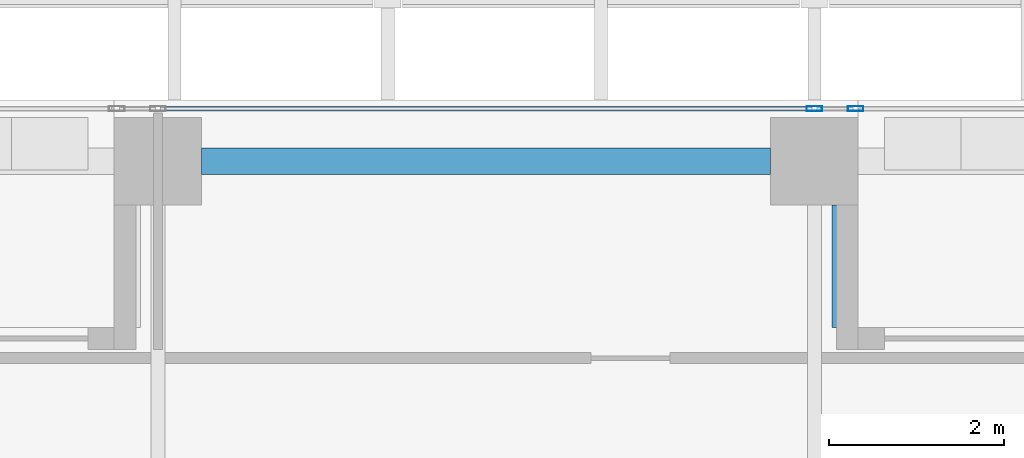
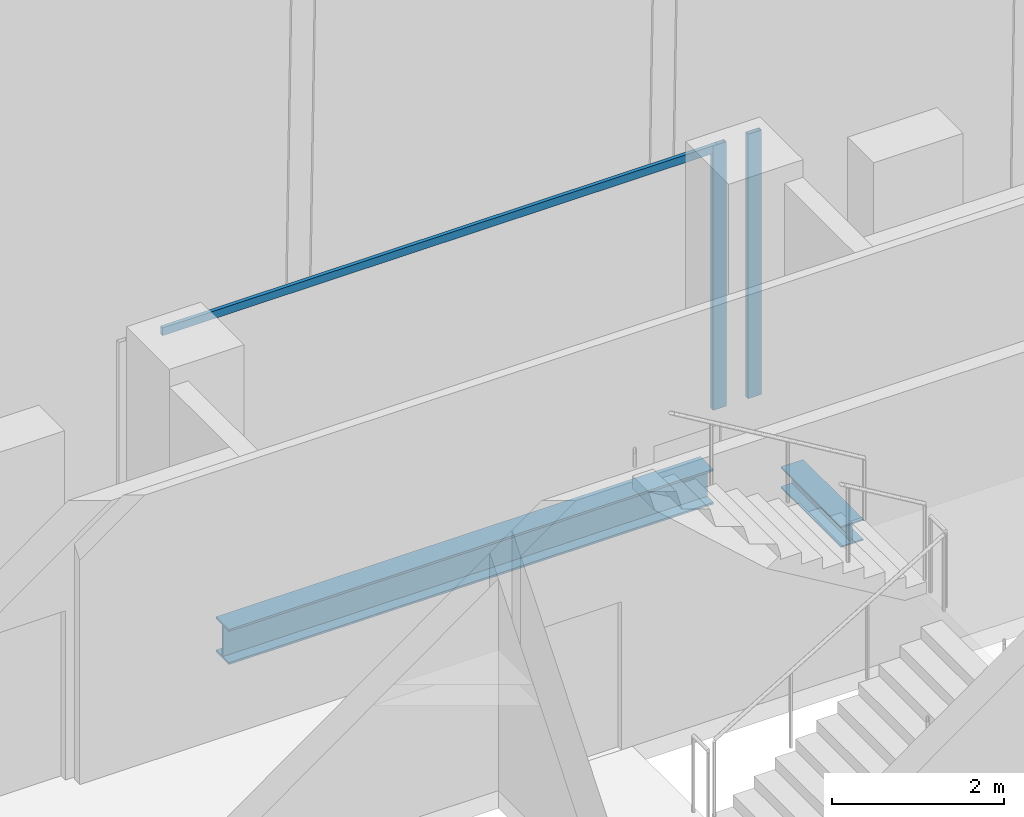
# One storey, part 17 of 35: 3 members, 2 beams, 1 element without a shape of its own.
"""IFC4 building model written with IfcOpenShell, lengths in metres."""

from ifc_helpers import new_model, si_unit, direction, frame, origin, origin_2d, place, context, subcontext, project, spatial, hollow_rectangle, i_section, extrude, source, transform, mapped, material, material_profile, profile_set, type_object, element, aggregate, save


model = new_model("IFC4")

# Units and contexts
model_context = context("Model", 3, precision=1e-05, world=origin(), true_north=direction((0.0, 1.0)))
body_context = subcontext(model_context, "Body", "Model", "MODEL_VIEW")
ifc_project = project(units=[si_unit("LENGTHUNIT", "METRE"), si_unit("AREAUNIT", "SQUARE_METRE"), si_unit("VOLUMEUNIT", "CUBIC_METRE"), si_unit("PLANEANGLEUNIT", "RADIAN"), si_unit("MASSUNIT", "GRAM", prefix="KILO")], contexts=[model_context])

# Site, building, storey
site_placement = place(None, origin())
site = spatial("IfcSite", under=ifc_project, at=site_placement, CompositionType="ELEMENT")
building_placement = place(site_placement, origin())
building = spatial("IfcBuilding", under=site, at=building_placement, Name="Khomas Fold Tower", CompositionType="ELEMENT")
storey_placement = place(building_placement, frame((0.0, 0.0, 212.699951171875)))
storey = spatial("IfcBuildingStorey", under=building, at=storey_placement, Name="L47", CompositionType="ELEMENT", Elevation=212.699951171875)

# Beams
ifc_material_1 = material(Name="Steel S355", Category="steel")
ifc_material_profile_1 = material_profile(ifc_material_1, i_section(OverallWidth=0.300048828125, OverallDepth=0.5, WebThickness=0.014404296875, FlangeThickness=0.028076171875, at=origin_2d()), Name="HE 500 B")
ifc_profile_set_1 = profile_set([ifc_material_profile_1], Name="Steel S355")
beam_type_1 = type_object("IfcBeamType", Name="HE 500 B spandrel SB3", PredefinedType="SPANDREL", material=ifc_profile_set_1)
shared_shape_1 = source(origin(), body_context, "Body", "SweptSolid", [
    extrude(i_section(OverallWidth=0.300048828125, OverallDepth=0.5, WebThickness=0.014404296875, FlangeThickness=0.028076171875, at=origin_2d()), origin(), (0.0, 0.0, 1.0), 6.5),
])
beam_1_placement = place(storey_placement, frame((20.0, 50.300048828125, -0.5), z_axis=(1.0, 0.0, 0.0), x_axis=(0.0, 1.0, 0.0)))
element("IfcBeam", 1, at=beam_1_placement, inside=storey, type_object=beam_type_1, Name="SB3", PredefinedType="SPANDREL", context=body_context, shape_type="MappedRepresentation", body=[
    mapped(shared_shape_1, transform((0.0, 0.0, 0.0))),
])
ifc_material_2 = material(Name="Steel S355", Category="steel")
ifc_material_profile_2 = material_profile(ifc_material_2, i_section(OverallWidth=0.300048828125, OverallDepth=0.300048828125, WebThickness=0.010986328125, FlangeThickness=0.01904296875, at=origin_2d()), Name="HE 300 B")
ifc_profile_set_2 = profile_set([ifc_material_profile_2], Name="Steel S355")
beam_type_2 = type_object("IfcBeamType", Name="HE 300 B beam BB1", PredefinedType="BEAM", material=ifc_profile_set_2)
shared_shape_2 = source(origin(), body_context, "Body", "SweptSolid", [
    extrude(i_section(OverallWidth=0.300048828125, OverallDepth=0.300048828125, WebThickness=0.010986328125, FlangeThickness=0.01904296875, at=origin_2d()), origin(), (0.0, 0.0, 1.0), 1.400146484375),
])
beam_2_placement = place(storey_placement, frame((27.35009765625, 48.39990234375, -0.39990234375), z_axis=(0.0, 1.0, 0.0), x_axis=(-1.0, 0.0, 0.0)))
element("IfcBeam", 2, at=beam_2_placement, inside=storey, type_object=beam_type_2, Name="BB1", PredefinedType="BEAM", context=body_context, shape_type="MappedRepresentation", body=[
    mapped(shared_shape_2, transform((0.0, 0.0, 0.0))),
])

# Curtain wall, members
ifc_material_3 = material(Name="Aluminium framed double glazing", Category="aluminium")
curtain_wall_type = type_object("IfcCurtainWallType", Name="SK-Unitised clear-glass wall, office floors CW2", PredefinedType="NOTDEFINED", material=ifc_material_3)
curtain_wall_placement = place(storey_placement, origin())
curtain_wall = element("IfcCurtainWall", 3, at=curtain_wall_placement, inside=storey, type_object=curtain_wall_type, Name="CW2 run L47 06-1", PredefinedType="NOTDEFINED")
ifc_material_4 = material(Name="Aluminium", Category="aluminium")
ifc_material_profile_3 = material_profile(ifc_material_4, hollow_rectangle(XDim=0.06005859375, YDim=0.179931640625, WallThickness=0.00390625, at=origin_2d()), Name="SK-Unitised clear-glass wall, office floors mullion CW2-M")
ifc_profile_set_3 = profile_set([ifc_material_profile_3], Name="Aluminium")
member_type_1 = type_object("IfcMemberType", Name="SK-Unitised clear-glass wall, office floors mullion CW2-M", PredefinedType="MULLION", material=ifc_profile_set_3)
shared_shape_3 = source(origin(), body_context, "Body", "SweptSolid", [
    extrude(hollow_rectangle(XDim=0.06005859375, YDim=0.179931640625, WallThickness=0.00390625, at=origin_2d()), origin(), (0.0, 0.0, 1.0), 3.75),
])
member_1_placement = place(storey_placement, frame((27.469970703125, 50.89990234375, 0.0), z_axis=(0.0, 0.0, 1.0), x_axis=(0.0, -1.0, 0.0)))
member_1 = element("IfcMember", 4, at=member_1_placement, type_object=member_type_1, Name="CW2 mullion 1", PredefinedType="MULLION", context=body_context, shape_type="MappedRepresentation", body=[
    mapped(shared_shape_3, transform((0.0, 0.0, 0.0))),
])
member_2_placement = place(storey_placement, frame((27.0, 50.89990234375, 0.0), z_axis=(0.0, 0.0, 1.0), x_axis=(0.0, -1.0, 0.0)))
member_2 = element("IfcMember", 5, at=member_2_placement, type_object=member_type_1, Name="CW2 mullion 2", PredefinedType="MULLION", context=body_context, shape_type="MappedRepresentation", body=[
    mapped(shared_shape_3, transform((0.0, 0.0, 0.0))),
])
ifc_material_5 = material(Name="Aluminium", Category="aluminium")
ifc_material_profile_4 = material_profile(ifc_material_5, hollow_rectangle(XDim=0.050048828125, YDim=0.110107421875, WallThickness=0.00390625, at=origin_2d()), Name="SK-Unitised clear-glass wall, office floors transom CW2-T")
ifc_profile_set_4 = profile_set([ifc_material_profile_4], Name="Aluminium")
member_type_2 = type_object("IfcMemberType", Name="SK-Unitised clear-glass wall, office floors transom CW2-T", PredefinedType="USERDEFINED", material=ifc_profile_set_4)
shared_shape_4 = source(origin(), body_context, "Body", "SweptSolid", [
    extrude(hollow_rectangle(XDim=0.050048828125, YDim=0.110107421875, WallThickness=0.00390625, at=origin_2d()), origin(), (0.0, 0.0, 1.0), 7.43994140625),
])
member_3_placement = place(storey_placement, frame((26.969970703125, 50.89990234375, 3.695068359375), z_axis=(-1.0, 0.0, 0.0), x_axis=(0.0, -1.0, 0.0)))
member_3 = element("IfcMember", 6, at=member_3_placement, type_object=member_type_2, Name="CW2 transom 2", ObjectType="TRANSOM", PredefinedType="USERDEFINED", context=body_context, shape_type="MappedRepresentation", body=[
    mapped(shared_shape_4, transform((0.0, 0.0, 0.0))),
])
aggregate(curtain_wall, [member_1, member_2, member_3])

save(model, "model.ifc")
